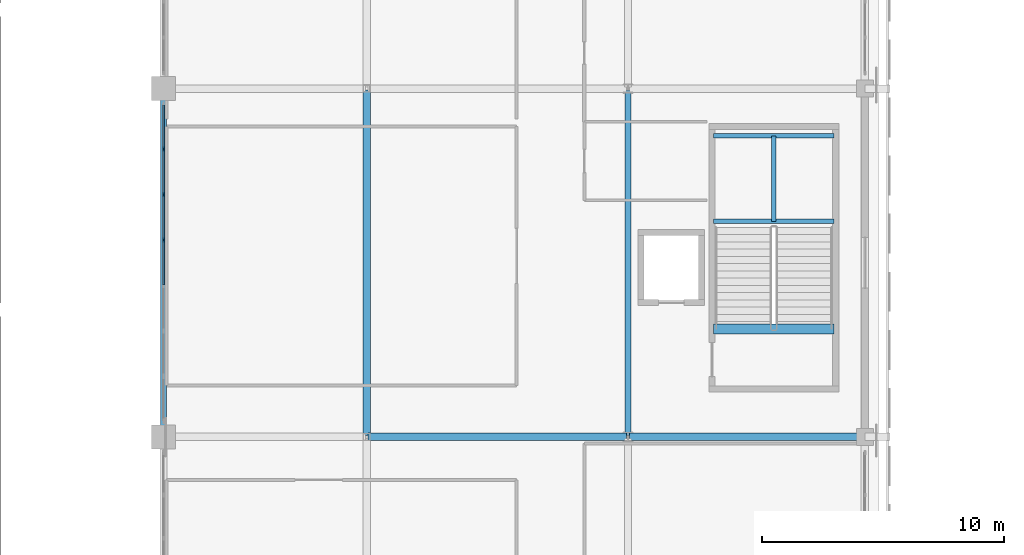
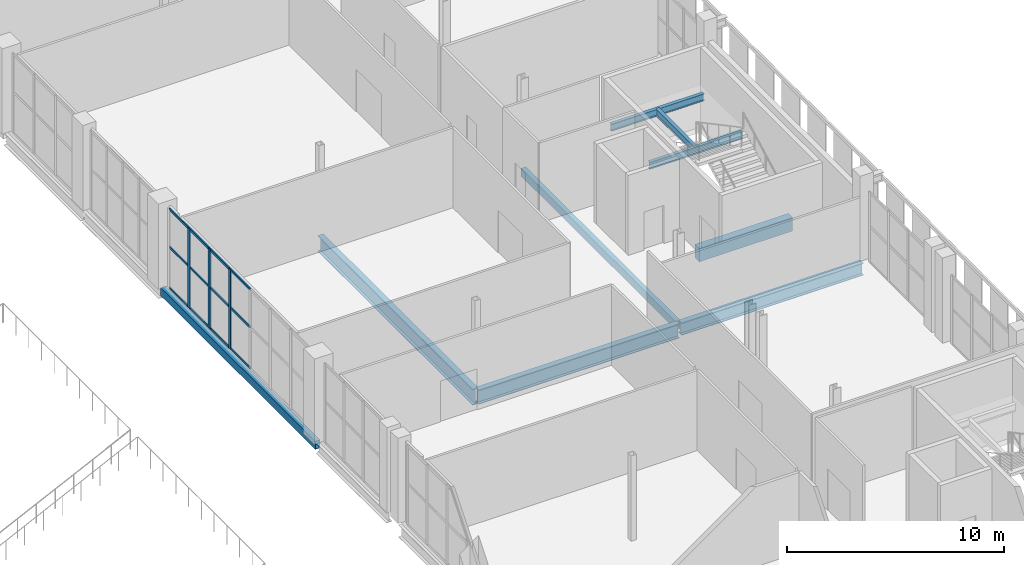
# One storey, part 43 of 104: 15 members, 9 beams, 1 element without a shape of its own.
"""IFC4 building model written with IfcOpenShell, lengths in metres."""

from ifc_helpers import new_model, si_unit, direction, frame, origin, origin_2d, place, context, subcontext, project, spatial, rectangle, hollow_rectangle, i_section, extrude, material, material_profile, profile_set, type_object, element, aggregate, save


model = new_model("IFC4")

# Units and contexts
model_context = context("Model", 3, precision=1e-05, world=origin(), true_north=direction((0.0, 1.0)))
body_context = subcontext(model_context, "Body", "Model", "MODEL_VIEW")
ifc_project = project(units=[si_unit("LENGTHUNIT", "METRE"), si_unit("AREAUNIT", "SQUARE_METRE"), si_unit("VOLUMEUNIT", "CUBIC_METRE"), si_unit("PLANEANGLEUNIT", "RADIAN"), si_unit("MASSUNIT", "GRAM", prefix="KILO")], contexts=[model_context])

# Site, building, storey
site_placement = place(None, origin())
site = spatial("IfcSite", under=ifc_project, at=site_placement, CompositionType="ELEMENT")
building_placement = place(site_placement, origin())
building = spatial("IfcBuilding", under=site, at=building_placement, Name="Koshinbarg Plaza Stadium", CompositionType="ELEMENT")
storey_placement = place(building_placement, frame((0.0, 0.0, 19.800048828125)))
storey = spatial("IfcBuildingStorey", under=building, at=storey_placement, Name="L04", CompositionType="ELEMENT", Elevation=19.800048828125)

# Beams
ifc_material_1 = material(Name="Concrete C40/50", Category="concrete")
ifc_material_profile_1 = material_profile(ifc_material_1, rectangle(XDim=0.39990234375, YDim=0.75, at=origin_2d()), Name="RC 400x750")
ifc_profile_set_1 = profile_set([ifc_material_profile_1], Name="Concrete C40/50")
beam_type_1 = type_object("IfcBeamType", Name="BM-RCG-03", PredefinedType="USERDEFINED", material=ifc_profile_set_1)
beam_1_placement = place(storey_placement, frame((212.14990234375, 87.56005859375, -0.375), z_axis=(1.0, 0.0, 0.0), x_axis=(0.0, 1.0, 0.0)))
element("IfcBeam", 1, at=beam_1_placement, inside=storey, type_object=beam_type_1, Name="L04 stair landing header beam C09", ObjectType="GIRDER", PredefinedType="USERDEFINED", context=body_context, shape_type="SweptSolid", body=[
    extrude(rectangle(XDim=0.39990234375, YDim=0.75, at=origin_2d()), origin(), (0.0, 0.0, 1.0), 4.97021484375),
])
ifc_material_2 = material(Name="Steel S355", Category="steel")
ifc_material_profile_2 = material_profile(ifc_material_2, i_section(OverallWidth=0.179931640625, OverallDepth=0.39990234375, WebThickness=0.008544921875, FlangeThickness=0.013427734375, at=origin_2d()), Name="IPE 400")
ifc_profile_set_2 = profile_set([ifc_material_profile_2], Name="Steel S355")
beam_type_2 = type_object("IfcBeamType", Name="BM-SBM-01", PredefinedType="BEAM", material=ifc_profile_set_2)
for number, where, z_axis, x_axis, name in (
    (2, (212.14990234375, 92.010009765625, 1.8798828125), (1.0, 0.0, 0.0), (0.0, 1.0, 0.0), "L04 Protected Exit Stair C09 landing trimmer beam 1"),
    (3, (212.14990234375, 95.550048828125, 1.8798828125), (1.0, 0.0, 0.0), (0.0, 1.0, 0.0), "L04 Protected Exit Stair C09 landing trimmer beam 2"),
):
    element("IfcBeam", number, at=place(storey_placement, frame(where, z_axis=z_axis, x_axis=x_axis)), inside=storey, type_object=beam_type_2, Name=name, PredefinedType="BEAM", context=body_context, shape_type="SweptSolid", body=[
        extrude(i_section(OverallWidth=0.179931640625, OverallDepth=0.39990234375, WebThickness=0.008544921875, FlangeThickness=0.013427734375, at=origin_2d()), origin(), (0.0, 0.0, 1.0), 4.97021484375),
    ])
beam_2_placement = place(storey_placement, frame((214.635009765625, 92.010009765625, 1.8798828125), z_axis=(0.0, 1.0, 0.0), x_axis=(-1.0, 0.0, 0.0)))
element("IfcBeam", 4, at=beam_2_placement, inside=storey, type_object=beam_type_2, Name="L04 Protected Exit Stair C09 landing trimmer beam 3", PredefinedType="BEAM", context=body_context, shape_type="SweptSolid", body=[
    extrude(i_section(OverallWidth=0.179931640625, OverallDepth=0.39990234375, WebThickness=0.008544921875, FlangeThickness=0.013427734375, at=origin_2d()), origin(), (0.0, 0.0, 1.0), 3.5400390625),
])
ifc_material_profile_3 = material_profile(ifc_material_2, i_section(OverallWidth=0.300048828125, OverallDepth=0.699951171875, WebThickness=0.01708984375, FlangeThickness=0.031982421875, at=origin_2d()), Name="HEB 700")
ifc_profile_set_3 = profile_set([ifc_material_profile_3], Name="Steel S355")
beam_type_3 = type_object("IfcBeamType", Name="BM-SGIR-03", PredefinedType="USERDEFINED", material=ifc_profile_set_3)
beam_3_placement = place(storey_placement, frame((208.659912109375, 83.10009765625, -0.650146484375), z_axis=(1.0, 0.0, 0.0), x_axis=(0.0, 1.0, 0.0)))
element("IfcBeam", 5, at=beam_3_placement, inside=storey, type_object=beam_type_3, Name="L04 X girder M/20-21", ObjectType="GIRDER", PredefinedType="USERDEFINED", context=body_context, shape_type="SweptSolid", body=[
    extrude(i_section(OverallWidth=0.300048828125, OverallDepth=0.699951171875, WebThickness=0.01708984375, FlangeThickness=0.031982421875, at=origin_2d()), origin(), (0.0, 0.0, 1.0), 9.68017578125),
])
ifc_material_profile_4 = material_profile(ifc_material_2, i_section(OverallWidth=0.300048828125, OverallDepth=0.800048828125, WebThickness=0.017578125, FlangeThickness=0.032958984375, at=origin_2d()), Name="HEB 800")
ifc_profile_set_4 = profile_set([ifc_material_profile_4], Name="Steel S355")
beam_type_4 = type_object("IfcBeamType", Name="BM-SGIR-04", PredefinedType="USERDEFINED", material=ifc_profile_set_4)
beam_4_placement = place(storey_placement, frame((197.860107421875, 83.10009765625, -0.699951171875), z_axis=(1.0, 0.0, 0.0), x_axis=(0.0, 1.0, 0.0)))
element("IfcBeam", 6, at=beam_4_placement, inside=storey, type_object=beam_type_4, Name="L04 X girder M/19-20", ObjectType="GIRDER", PredefinedType="USERDEFINED", context=body_context, shape_type="SweptSolid", body=[
    extrude(i_section(OverallWidth=0.300048828125, OverallDepth=0.800048828125, WebThickness=0.017578125, FlangeThickness=0.032958984375, at=origin_2d()), origin(), (0.0, 0.0, 1.0), 10.679931640625),
])
ifc_material_profile_5 = material_profile(ifc_material_2, i_section(OverallWidth=0.300048828125, OverallDepth=0.89990234375, WebThickness=0.0185546875, FlangeThickness=0.034912109375, at=origin_2d()), Name="HEB 900")
ifc_profile_set_5 = profile_set([ifc_material_profile_5], Name="Steel S355")
beam_type_5 = type_object("IfcBeamType", Name="BM-SGIR-05", PredefinedType="USERDEFINED", material=ifc_profile_set_5)
beam_5_placement = place(storey_placement, frame((197.800048828125, 83.159912109375, -0.75), z_axis=(0.0, 1.0, 0.0), x_axis=(-1.0, 0.0, 0.0)))
element("IfcBeam", 7, at=beam_5_placement, inside=storey, type_object=beam_type_5, Name="L04 Y girder 19/M-N", ObjectType="GIRDER", PredefinedType="USERDEFINED", context=body_context, shape_type="SweptSolid", body=[
    extrude(i_section(OverallWidth=0.300048828125, OverallDepth=0.89990234375, WebThickness=0.0185546875, FlangeThickness=0.034912109375, at=origin_2d()), origin(), (0.0, 0.0, 1.0), 14.280029296875),
])
ifc_material_profile_6 = material_profile(ifc_material_2, hollow_rectangle(XDim=0.25, YDim=0.449951171875, WallThickness=0.01611328125, at=origin_2d()), Name="RHS 450x250x16")
ifc_profile_set_6 = profile_set([ifc_material_profile_6], Name="Steel S355")
beam_type_6 = type_object("IfcBeamType", Name="BM-SGIR-06", PredefinedType="USERDEFINED", material=ifc_profile_set_6)
for number, where, z_axis, x_axis, name in (
    (8, (189.39990234375, 83.159912109375, -0.525146484375), (0.0, 1.0, 0.0), (-1.0, 0.0, 0.0), "L04 Y girder 18/M-N"),
    (9, (208.60009765625, 83.159912109375, -0.525146484375), (0.0, 1.0, 0.0), (-1.0, 0.0, 0.0), "L04 Y girder 20/M-N"),
):
    element("IfcBeam", number, at=place(storey_placement, frame(where, z_axis=z_axis, x_axis=x_axis)), inside=storey, type_object=beam_type_6, Name=name, ObjectType="GIRDER", PredefinedType="USERDEFINED", context=body_context, shape_type="SweptSolid", body=[
        extrude(hollow_rectangle(XDim=0.25, YDim=0.449951171875, WallThickness=0.01611328125, at=origin_2d()), origin(), (0.0, 0.0, 1.0), 14.280029296875),
    ])

# Curtain wall, members
ifc_material_3 = material(Name="Thermally broken anodised aluminium and low-E double glazing", Category="aluminium")
curtain_wall_type = type_object("IfcCurtainWallType", Name="CW-SYS-16", PredefinedType="NOTDEFINED", material=ifc_material_3)
curtain_wall_placement = place(storey_placement, origin())
curtain_wall = element("IfcCurtainWall", 10, at=curtain_wall_placement, inside=storey, type_object=curtain_wall_type, Name="L04 unitised curtain wall CW-L04-127", PredefinedType="NOTDEFINED")
ifc_material_4 = material(Name="Anodised aluminium mullion", Category="aluminium")
ifc_material_profile_7 = material_profile(ifc_material_4, rectangle(XDim=0.070068359375, YDim=0.199951171875, at=origin_2d()), Name="ALU 70x200")
ifc_profile_set_7 = profile_set([ifc_material_profile_7], Name="Anodised aluminium mullion")
member_type_1 = type_object("IfcMemberType", Name="CW-MUL-04", PredefinedType="MULLION", material=ifc_profile_set_7)
member_1_placement = place(storey_placement, frame((189.39990234375, 91.239990234375, 0.0), z_axis=(0.0, 0.0, 1.0), x_axis=(-1.0, 0.0, 0.0)))
member_1 = element("IfcMember", 11, at=member_1_placement, type_object=member_type_1, Name="CW16 mullion 5", PredefinedType="MULLION", context=body_context, shape_type="SweptSolid", body=[
    extrude(rectangle(XDim=0.070068359375, YDim=0.199951171875, at=origin_2d()), origin(), (0.0, 0.0, 1.0), 4.47998046875),
])
member_2_placement = place(storey_placement, frame((189.39990234375, 93.1201171875, 0.0), z_axis=(0.0, 0.0, 1.0), x_axis=(-1.0, 0.0, 0.0)))
member_2 = element("IfcMember", 12, at=member_2_placement, type_object=member_type_1, Name="CW16 mullion 6", PredefinedType="MULLION", context=body_context, shape_type="SweptSolid", body=[
    extrude(rectangle(XDim=0.070068359375, YDim=0.199951171875, at=origin_2d()), origin(), (0.0, 0.0, 1.0), 4.47998046875),
])
member_3_placement = place(storey_placement, frame((189.39990234375, 95.0, 0.0), z_axis=(0.0, 0.0, 1.0), x_axis=(-1.0, 0.0, 0.0)))
member_3 = element("IfcMember", 13, at=member_3_placement, type_object=member_type_1, Name="CW16 mullion 7", PredefinedType="MULLION", context=body_context, shape_type="SweptSolid", body=[
    extrude(rectangle(XDim=0.070068359375, YDim=0.199951171875, at=origin_2d()), origin(), (0.0, 0.0, 1.0), 4.47998046875),
])
ifc_material_5 = material(Name="Anodised aluminium transom", Category="aluminium")
ifc_material_profile_8 = material_profile(ifc_material_5, rectangle(XDim=0.06005859375, YDim=0.1298828125, at=origin_2d()), Name="ALU 60x130")
ifc_profile_set_8 = profile_set([ifc_material_profile_8], Name="Anodised aluminium transom")
member_type_2 = type_object("IfcMemberType", Name="CW-TRN-02", PredefinedType="USERDEFINED", material=ifc_profile_set_8)
member_4_placement = place(storey_placement, frame((189.39990234375, 89.389892578125, 0.030029296875), z_axis=(0.0, 1.0, 0.0), x_axis=(-1.0, 0.0, 0.0)))
member_4 = element("IfcMember", 14, at=member_4_placement, type_object=member_type_2, Name="CW16 transom 4.1", ObjectType="TRANSOM", PredefinedType="USERDEFINED", context=body_context, shape_type="SweptSolid", body=[
    extrude(rectangle(XDim=0.06005859375, YDim=0.1298828125, at=origin_2d()), origin(), (0.0, 0.0, 1.0), 1.820068359375),
])
member_5_placement = place(storey_placement, frame((189.39990234375, 89.389892578125, 2.32958984375), z_axis=(0.0, 1.0, 0.0), x_axis=(-1.0, 0.0, 0.0)))
member_5 = element("IfcMember", 15, at=member_5_placement, type_object=member_type_2, Name="CW16 transom 4.2", ObjectType="TRANSOM", PredefinedType="USERDEFINED", context=body_context, shape_type="SweptSolid", body=[
    extrude(rectangle(XDim=0.06005859375, YDim=0.1298828125, at=origin_2d()), origin(), (0.0, 0.0, 1.0), 1.820068359375),
])
member_6_placement = place(storey_placement, frame((189.39990234375, 89.389892578125, 4.449951171875), z_axis=(0.0, 1.0, 0.0), x_axis=(-1.0, 0.0, 0.0)))
member_6 = element("IfcMember", 16, at=member_6_placement, type_object=member_type_2, Name="CW16 transom 4.3", ObjectType="TRANSOM", PredefinedType="USERDEFINED", context=body_context, shape_type="SweptSolid", body=[
    extrude(rectangle(XDim=0.06005859375, YDim=0.1298828125, at=origin_2d()), origin(), (0.0, 0.0, 1.0), 1.820068359375),
])
member_7_placement = place(storey_placement, frame((189.39990234375, 91.27001953125, 0.030029296875), z_axis=(0.0, 1.0, 0.0), x_axis=(-1.0, 0.0, 0.0)))
member_7 = element("IfcMember", 17, at=member_7_placement, type_object=member_type_2, Name="CW16 transom 5.1", ObjectType="TRANSOM", PredefinedType="USERDEFINED", context=body_context, shape_type="SweptSolid", body=[
    extrude(rectangle(XDim=0.06005859375, YDim=0.1298828125, at=origin_2d()), origin(), (0.0, 0.0, 1.0), 1.820068359375),
])
member_8_placement = place(storey_placement, frame((189.39990234375, 91.27001953125, 2.32958984375), z_axis=(0.0, 1.0, 0.0), x_axis=(-1.0, 0.0, 0.0)))
member_8 = element("IfcMember", 18, at=member_8_placement, type_object=member_type_2, Name="CW16 transom 5.2", ObjectType="TRANSOM", PredefinedType="USERDEFINED", context=body_context, shape_type="SweptSolid", body=[
    extrude(rectangle(XDim=0.06005859375, YDim=0.1298828125, at=origin_2d()), origin(), (0.0, 0.0, 1.0), 1.820068359375),
])
member_9_placement = place(storey_placement, frame((189.39990234375, 91.27001953125, 4.449951171875), z_axis=(0.0, 1.0, 0.0), x_axis=(-1.0, 0.0, 0.0)))
member_9 = element("IfcMember", 19, at=member_9_placement, type_object=member_type_2, Name="CW16 transom 5.3", ObjectType="TRANSOM", PredefinedType="USERDEFINED", context=body_context, shape_type="SweptSolid", body=[
    extrude(rectangle(XDim=0.06005859375, YDim=0.1298828125, at=origin_2d()), origin(), (0.0, 0.0, 1.0), 1.820068359375),
])
member_10_placement = place(storey_placement, frame((189.39990234375, 93.14990234375, 0.030029296875), z_axis=(0.0, 1.0, 0.0), x_axis=(-1.0, 0.0, 0.0)))
member_10 = element("IfcMember", 20, at=member_10_placement, type_object=member_type_2, Name="CW16 transom 6.1", ObjectType="TRANSOM", PredefinedType="USERDEFINED", context=body_context, shape_type="SweptSolid", body=[
    extrude(rectangle(XDim=0.06005859375, YDim=0.1298828125, at=origin_2d()), origin(), (0.0, 0.0, 1.0), 1.820068359375),
])
member_11_placement = place(storey_placement, frame((189.39990234375, 93.14990234375, 2.32958984375), z_axis=(0.0, 1.0, 0.0), x_axis=(-1.0, 0.0, 0.0)))
member_11 = element("IfcMember", 21, at=member_11_placement, type_object=member_type_2, Name="CW16 transom 6.2", ObjectType="TRANSOM", PredefinedType="USERDEFINED", context=body_context, shape_type="SweptSolid", body=[
    extrude(rectangle(XDim=0.06005859375, YDim=0.1298828125, at=origin_2d()), origin(), (0.0, 0.0, 1.0), 1.820068359375),
])
member_12_placement = place(storey_placement, frame((189.39990234375, 93.14990234375, 4.449951171875), z_axis=(0.0, 1.0, 0.0), x_axis=(-1.0, 0.0, 0.0)))
member_12 = element("IfcMember", 22, at=member_12_placement, type_object=member_type_2, Name="CW16 transom 6.3", ObjectType="TRANSOM", PredefinedType="USERDEFINED", context=body_context, shape_type="SweptSolid", body=[
    extrude(rectangle(XDim=0.06005859375, YDim=0.1298828125, at=origin_2d()), origin(), (0.0, 0.0, 1.0), 1.820068359375),
])
member_13_placement = place(storey_placement, frame((189.39990234375, 95.030029296875, 0.030029296875), z_axis=(0.0, 1.0, 0.0), x_axis=(-1.0, 0.0, 0.0)))
member_13 = element("IfcMember", 23, at=member_13_placement, type_object=member_type_2, Name="CW16 transom 7.1", ObjectType="TRANSOM", PredefinedType="USERDEFINED", context=body_context, shape_type="SweptSolid", body=[
    extrude(rectangle(XDim=0.06005859375, YDim=0.1298828125, at=origin_2d()), origin(), (0.0, 0.0, 1.0), 1.7900390625),
])
member_14_placement = place(storey_placement, frame((189.39990234375, 95.030029296875, 2.32958984375), z_axis=(0.0, 1.0, 0.0), x_axis=(-1.0, 0.0, 0.0)))
member_14 = element("IfcMember", 24, at=member_14_placement, type_object=member_type_2, Name="CW16 transom 7.2", ObjectType="TRANSOM", PredefinedType="USERDEFINED", context=body_context, shape_type="SweptSolid", body=[
    extrude(rectangle(XDim=0.06005859375, YDim=0.1298828125, at=origin_2d()), origin(), (0.0, 0.0, 1.0), 1.7900390625),
])
member_15_placement = place(storey_placement, frame((189.39990234375, 95.030029296875, 4.449951171875), z_axis=(0.0, 1.0, 0.0), x_axis=(-1.0, 0.0, 0.0)))
member_15 = element("IfcMember", 25, at=member_15_placement, type_object=member_type_2, Name="CW16 transom 7.3", ObjectType="TRANSOM", PredefinedType="USERDEFINED", context=body_context, shape_type="SweptSolid", body=[
    extrude(rectangle(XDim=0.06005859375, YDim=0.1298828125, at=origin_2d()), origin(), (0.0, 0.0, 1.0), 1.7900390625),
])
aggregate(curtain_wall, [member_1, member_2, member_3, member_4, member_5, member_6, member_7, member_8, member_9, member_10, member_11, member_12, member_13, member_14, member_15])

save(model, "model.ifc")
